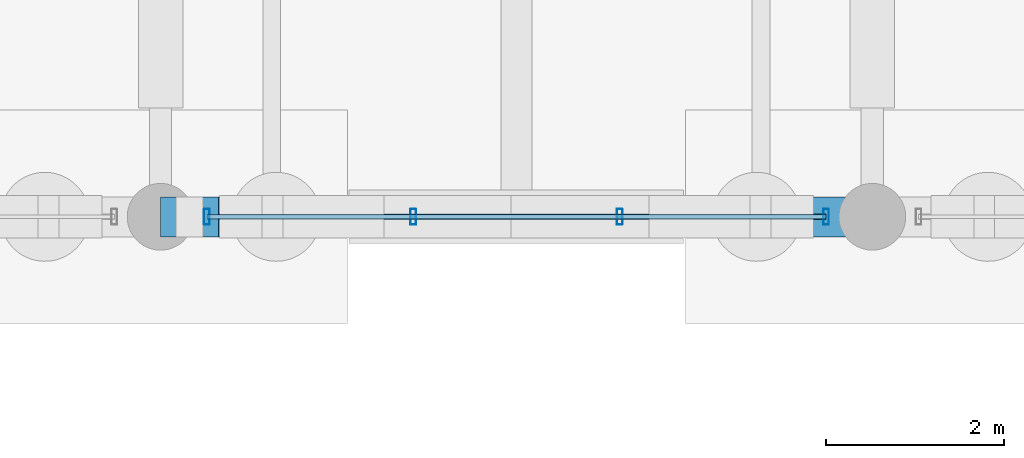
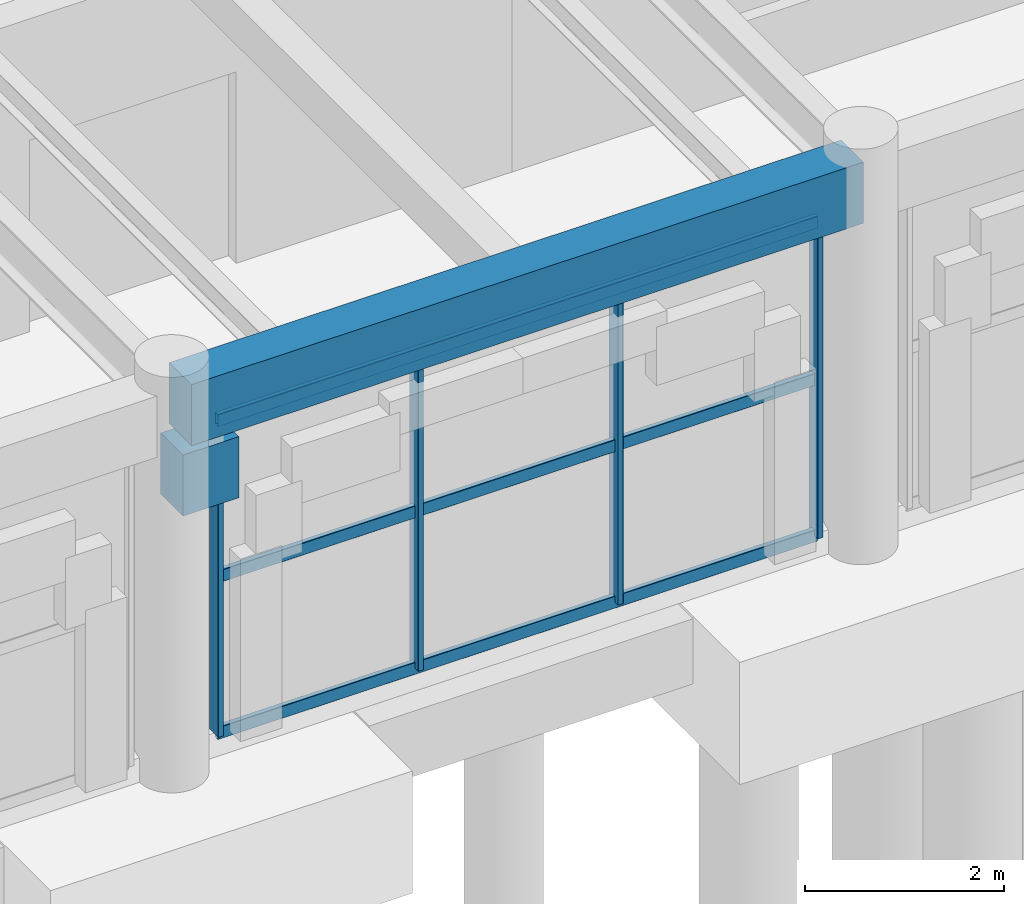
# One storey, part 67 of 147: 7 members, 2 beams, 1 element without a shape of its own.
"""IFC4 building model written with IfcOpenShell, lengths in metres."""

import ifcopenshell
import ifcopenshell.guid

model = None  # the IFC model being written
_history = None  # IfcOwnerHistory: only IFC2X3 demands one
_inside = {}  # id of a spatial element -> (the spatial element, [elements in it])
_under = {}  # id of a project, library or spatial element -> (it, [spatial elements below it])
_declared = {}  # id of a project -> (the project, [libraries it declares])
_typed = {}  # id of a type object -> (the type object, [elements of that type])
_made_of = {}  # id of a material, layer set ... -> (it, [elements and type objects made of it])


def new_model(schema):
    """Start an empty IFC model of exactly this schema.

    Asked for "IFC4X3", IfcOpenShell would pick the latest addendum, in which some entities
    have other attributes; the version numbers below select the first issue.
    IFC2X3 requires an IfcOwnerHistory on every rooted entity: one is made here for all.
    """
    global model, _history
    if schema == "IFC4X3":
        model = ifcopenshell.file(schema_version=(4, 3, 0, 0))
    else:
        model = ifcopenshell.file(schema=schema)
    _inside.clear()
    _under.clear()
    _declared.clear()
    _typed.clear()
    _made_of.clear()
    _history = None
    if model.schema == "IFC2X3":
        org = make("IfcOrganization", Name="unknown")
        user = make(
            "IfcPersonAndOrganization",
            ThePerson=make("IfcPerson", FamilyName="unknown"),
            TheOrganization=org,
        )
        app = make(
            "IfcApplication",
            ApplicationDeveloper=org,
            Version="unknown",
            ApplicationFullName="unknown",
            ApplicationIdentifier="unknown",
        )
        _history = make(
            "IfcOwnerHistory",
            OwningUser=user,
            OwningApplication=app,
            ChangeAction="ADDED",
            CreationDate=0,
        )
    return model


def make(cls, **values):
    """One entity of the class cls with the attributes given. An attribute that is None is left unset."""
    return model.create_entity(
        cls, **{name: value for name, value in values.items() if value is not None}
    )


def rooted(cls, **values):
    """An entity with a GlobalId (a new one), such as an element, a storey or a relation."""
    return make(cls, GlobalId=ifcopenshell.guid.new(), OwnerHistory=_history, **values)


def si_unit(unit_type, name, prefix=None):
    """IfcSIUnit, for example si_unit("LENGTHUNIT", "METRE", prefix="MILLI")."""
    return make("IfcSIUnit", UnitType=unit_type, Prefix=prefix, Name=name)


def assignment(units):
    """IfcUnitAssignment: the units of a project."""
    return None if units is None else make("IfcUnitAssignment", Units=units)


def point(xyz):
    """IfcCartesianPoint."""
    return None if xyz is None else make("IfcCartesianPoint", Coordinates=xyz)


def direction(xyz):
    """IfcDirection."""
    return None if xyz is None else make("IfcDirection", DirectionRatios=xyz)


def frame(location, z_axis=None, x_axis=None):
    """IfcAxis2Placement3D, a coordinate frame: its origin and axes. An axis left out is left unset."""
    return make(
        "IfcAxis2Placement3D",
        Location=point(location),
        Axis=direction(z_axis),
        RefDirection=direction(x_axis),
    )


def frame_2d(location, x_axis=None):
    """IfcAxis2Placement2D, a coordinate frame in the plane: its origin and x axis."""
    return make(
        "IfcAxis2Placement2D", Location=point(location), RefDirection=direction(x_axis)
    )


def origin():
    """The frame at (0, 0, 0) with its axes left unset."""
    return frame((0.0, 0.0, 0.0))


def origin_2d():
    """The frame at (0, 0) in the plane with its x axis left unset."""
    return frame_2d((0.0, 0.0))


def place(relative_to, where):
    """IfcLocalPlacement: puts the frame where relative to a parent placement (None: the world)."""
    return make(
        "IfcLocalPlacement", PlacementRelTo=relative_to, RelativePlacement=where
    )


def context(
    kind, dimensions, precision=None, world=None, true_north=None, identifier=None
):
    """IfcGeometricRepresentationContext, for example the 3D "Model" context."""
    return make(
        "IfcGeometricRepresentationContext",
        ContextIdentifier=identifier,
        ContextType=kind,
        CoordinateSpaceDimension=dimensions,
        Precision=precision,
        WorldCoordinateSystem=world,
        TrueNorth=true_north,
    )


def subcontext(parent, identifier, kind, view, scale=None):
    """IfcGeometricRepresentationSubContext, for example "Body" below "Model"."""
    return make(
        "IfcGeometricRepresentationSubContext",
        ContextIdentifier=identifier,
        ContextType=kind,
        ParentContext=parent,
        TargetScale=scale,
        TargetView=view,
    )


def project(units=None, contexts=None):
    """IfcProject with its units and contexts."""
    return rooted(
        "IfcProject",
        Name="project",
        RepresentationContexts=contexts,
        UnitsInContext=assignment(units),
    )


def spatial(cls, under=None, at=None, **own):
    """A site, building, storey or space (cls), placed at a placement, below another one or the project."""
    s = rooted(cls, ObjectPlacement=at, **own)
    if under is not None:
        _under.setdefault(under.id(), (under, []))[1].append(s)
    return s


def profile(cls, at=None, kind="AREA", **sizes):
    """A parametric profile (cls). Its sizes go by their IFC names, for example OverallWidth=200.0."""
    return make(cls, ProfileType=kind, Position=at, **sizes)


def rectangle(**sizes):
    """IfcRectangleProfileDef."""
    return profile("IfcRectangleProfileDef", **sizes)


def hollow_rectangle(**sizes):
    """IfcRectangleHollowProfileDef."""
    return profile("IfcRectangleHollowProfileDef", **sizes)


def extrude(swept, where, along, depth):
    """IfcExtrudedAreaSolid: the profile swept, set in the frame where, extruded along a direction by depth."""
    return make(
        "IfcExtrudedAreaSolid",
        SweptArea=swept,
        Position=where,
        ExtrudedDirection=direction(along),
        Depth=depth,
    )


def shape(context_of_items, identifier, shape_type, items):
    """IfcShapeRepresentation: the items that make up one representation, for example the "Body"."""
    return make(
        "IfcShapeRepresentation",
        ContextOfItems=context_of_items,
        RepresentationIdentifier=identifier,
        RepresentationType=shape_type,
        Items=items,
    )


def material(Name=None, Category=None):
    """IfcMaterial."""
    return make("IfcMaterial", Name=Name, Category=Category)


def material_profile(
    of_material, cross_section, Name=None, Category=None, Priority=None
):
    """IfcMaterialProfile: a cross section and its material."""
    return make(
        "IfcMaterialProfile",
        Name=Name,
        Material=of_material,
        Profile=cross_section,
        Priority=Priority,
        Category=Category,
    )


def profile_set(profiles, Name=None, composite=None):
    """IfcMaterialProfileSet."""
    return make(
        "IfcMaterialProfileSet",
        Name=Name,
        MaterialProfiles=profiles,
        CompositeProfile=composite,
    )


def made_of(thing, what):
    """Note that an element or type object is made of a material, layer set ...; save() writes the relation."""
    if what is not None:
        _made_of.setdefault(what.id(), (what, []))[1].append(thing)
    return thing


def type_object(cls, material=None, **own):
    """A type object (cls), such as IfcWallType, which elements share."""
    return made_of(rooted(cls, **own), material)


def element(
    cls,
    number,
    at=None,
    inside=None,
    cuts=None,
    type_object=None,
    material=None,
    context=None,
    identifier="Body",
    shape_type=None,
    held_by="IfcProductDefinitionShape",
    body=None,
    shapes=None,
    **own,
):
    """One element of the class cls, such as IfcWall. Its Tag is "e" and its number.

    at: its placement. inside: the storey or other place that contains it. cuts: it is an
    opening in that element (IfcRelVoidsElement). A single representation is given by context,
    identifier, shape_type and body (its items); several are given by shapes. held_by: the class
    of the entity that holds the representations. save() writes the other relations.
    """
    e = rooted(cls, Tag="e%d" % number, ObjectPlacement=at, **own)
    if body is not None:
        shapes = [shape(context, identifier, shape_type, body)]
    if shapes is not None:
        e.Representation = make(held_by, Representations=shapes)
    if inside is not None:
        _inside.setdefault(inside.id(), (inside, []))[1].append(e)
    if cuts is not None:
        rooted(
            "IfcRelVoidsElement", RelatingBuildingElement=cuts, RelatedOpeningElement=e
        )
    if type_object is not None:
        _typed.setdefault(type_object.id(), (type_object, []))[1].append(e)
    return made_of(e, material)


def aggregate(whole, parts):
    """IfcRelAggregates: a whole, such as a stair, and the parts it consists of."""
    return rooted("IfcRelAggregates", RelatingObject=whole, RelatedObjects=parts)


def save(model, path):
    """Write the relations noted so far, then the file.

    IfcRelAggregates (storeys below a building ...), IfcRelContainedInSpatialStructure (elements
    in a storey), IfcRelDefinesByType, IfcRelAssociatesMaterial and IfcRelDeclares: one each for
    every whole, place, type object, material and project.
    """
    for whole, parts in _under.values():
        aggregate(whole, parts)
    for where, things in _inside.values():
        rooted(
            "IfcRelContainedInSpatialStructure",
            RelatedElements=things,
            RelatingStructure=where,
        )
    for kind, things in _typed.values():
        rooted("IfcRelDefinesByType", RelatedObjects=things, RelatingType=kind)
    for what, things in _made_of.values():
        rooted("IfcRelAssociatesMaterial", RelatedObjects=things, RelatingMaterial=what)
    for by, libraries in _declared.values():
        rooted("IfcRelDeclares", RelatingContext=by, RelatedDefinitions=libraries)
    model.write(path)


model = new_model("IFC4")

# Units and contexts
model_context = context("Model", 3, precision=1e-05, world=origin(), true_north=direction((0.0, 1.0)))
body_context = subcontext(model_context, "Body", "Model", "MODEL_VIEW")
ifc_project = project(units=[si_unit("LENGTHUNIT", "METRE"), si_unit("AREAUNIT", "SQUARE_METRE"), si_unit("VOLUMEUNIT", "CUBIC_METRE"), si_unit("PLANEANGLEUNIT", "RADIAN"), si_unit("MASSUNIT", "GRAM", prefix="KILO")], contexts=[model_context])

# Site, building, storey
site_placement = place(None, origin())
site = spatial("IfcSite", under=ifc_project, at=site_placement, CompositionType="ELEMENT")
building_placement = place(site_placement, origin())
building = spatial("IfcBuilding", under=site, at=building_placement, Name="Varnabhumi Central Station", CompositionType="ELEMENT")
storey_placement = place(building_placement, origin())
storey = spatial("IfcBuildingStorey", under=building, at=storey_placement, Name="L00", CompositionType="ELEMENT", Elevation=0.0)

# Beams
ifc_material_1 = material(Name="Concrete M40", Category="concrete")
ifc_material_profile_1 = material_profile(ifc_material_1, rectangle(XDim=0.449951171875, YDim=0.75, at=origin_2d()), Name="Concrete M40", Category="concrete")
ifc_profile_set_1 = profile_set([ifc_material_profile_1], Name="Concrete M40")
beam_type = type_object("IfcBeamType", Name="BM-RC-450x750", PredefinedType="BEAM", material=ifc_profile_set_1)
beam_1_placement = place(storey_placement, frame((64.10009765625, 107.0, 4.175048828125), z_axis=(1.0, 0.0, 0.0), x_axis=(0.0, 1.0, 0.0)))
element("IfcBeam", 1, at=beam_1_placement, inside=storey, type_object=beam_type, Name="Beam L00-N:9-10", PredefinedType="BEAM", context=body_context, shape_type="SweptSolid", body=[
    extrude(rectangle(XDim=0.449951171875, YDim=0.75, at=origin_2d()), origin(), (0.0, 0.0, 1.0), 7.7998046875),
])
beam_2_placement = place(storey_placement, frame((64.0, 107.0, 3.344970703125), z_axis=(1.0, 0.0, 0.0), x_axis=(0.0, 1.0, 0.0)))
element("IfcBeam", 2, at=beam_2_placement, inside=storey, type_object=beam_type, Name="Movement Joint 650mm Corbel Seat L00-N-9", PredefinedType="BEAM", context=body_context, shape_type="SweptSolid", body=[
    extrude(rectangle(XDim=0.449951171875, YDim=0.75, at=origin_2d()), origin(), (0.0, 0.0, 1.0), 0.64990234375),
])

# Curtain wall, members
ifc_material_2 = material(Name="Anodised aluminium 6063-T6", Category="aluminium")
curtain_wall_type = type_object("IfcCurtainWallType", Name="CW-PATIO-LOGGIA-L0", PredefinedType="NOTDEFINED", material=ifc_material_2)
curtain_wall_placement = place(storey_placement, origin())
curtain_wall = element("IfcCurtainWall", 3, at=curtain_wall_placement, inside=storey, type_object=curtain_wall_type, Name="Curtain Wall CW-NP0N3", PredefinedType="NOTDEFINED")
ifc_material_profile_2 = material_profile(ifc_material_2, hollow_rectangle(XDim=0.06494140625, YDim=0.179931640625, WallThickness=0.00390625, InnerFilletRadius=0.001953125, OuterFilletRadius=0.006103515625, at=origin_2d()), Name="Anodised aluminium 6063-T6", Category="aluminium")
ifc_profile_set_2 = profile_set([ifc_material_profile_2], Name="Anodised aluminium 6063-T6")
member_type_1 = type_object("IfcMemberType", Name="CW-MUL-180", PredefinedType="MULLION", material=ifc_profile_set_2)
member_1_placement = place(storey_placement, frame((64.52001953125, 107.0, 0.0), z_axis=(0.0, 0.0, 1.0), x_axis=(1.0, 0.0, 0.0)))
member_1 = element("IfcMember", 4, at=member_1_placement, type_object=member_type_1, Name="Curtain Wall Mullion CW-NP0N3-M1", PredefinedType="MULLION", context=body_context, shape_type="SweptSolid", body=[
    extrude(hollow_rectangle(XDim=0.06494140625, YDim=0.179931640625, WallThickness=0.00390625, InnerFilletRadius=0.001953125, OuterFilletRadius=0.006103515625, at=origin_2d()), origin(), (0.0, 0.0, 1.0), 3.840087890625),
])
member_2_placement = place(storey_placement, frame((66.840087890625, 107.0, 0.0), z_axis=(0.0, 0.0, 1.0), x_axis=(1.0, 0.0, 0.0)))
member_2 = element("IfcMember", 5, at=member_2_placement, type_object=member_type_1, Name="Curtain Wall Mullion CW-NP0N3-M2", PredefinedType="MULLION", context=body_context, shape_type="SweptSolid", body=[
    extrude(hollow_rectangle(XDim=0.06494140625, YDim=0.179931640625, WallThickness=0.00390625, InnerFilletRadius=0.001953125, OuterFilletRadius=0.006103515625, at=origin_2d()), origin(), (0.0, 0.0, 1.0), 3.840087890625),
])
member_3_placement = place(storey_placement, frame((69.159912109375, 107.0, 0.0), z_axis=(0.0, 0.0, 1.0), x_axis=(1.0, 0.0, 0.0)))
member_3 = element("IfcMember", 6, at=member_3_placement, type_object=member_type_1, Name="Curtain Wall Mullion CW-NP0N3-M3", PredefinedType="MULLION", context=body_context, shape_type="SweptSolid", body=[
    extrude(hollow_rectangle(XDim=0.06494140625, YDim=0.179931640625, WallThickness=0.00390625, InnerFilletRadius=0.001953125, OuterFilletRadius=0.006103515625, at=origin_2d()), origin(), (0.0, 0.0, 1.0), 3.840087890625),
])
member_4_placement = place(storey_placement, frame((71.47998046875, 107.0, 0.0), z_axis=(0.0, 0.0, 1.0), x_axis=(1.0, 0.0, 0.0)))
member_4 = element("IfcMember", 7, at=member_4_placement, type_object=member_type_1, Name="Curtain Wall Mullion CW-NP0N3-M4", PredefinedType="MULLION", context=body_context, shape_type="SweptSolid", body=[
    extrude(hollow_rectangle(XDim=0.06494140625, YDim=0.179931640625, WallThickness=0.00390625, InnerFilletRadius=0.001953125, OuterFilletRadius=0.006103515625, at=origin_2d()), origin(), (0.0, 0.0, 1.0), 3.840087890625),
])
ifc_material_profile_3 = material_profile(ifc_material_2, hollow_rectangle(XDim=0.06005859375, YDim=0.14990234375, WallThickness=0.00390625, InnerFilletRadius=0.001953125, OuterFilletRadius=0.006103515625, at=origin_2d()), Name="Anodised aluminium 6063-T6", Category="aluminium")
ifc_profile_set_3 = profile_set([ifc_material_profile_3], Name="Anodised aluminium 6063-T6")
member_type_2 = type_object("IfcMemberType", Name="CW-TR-150", PredefinedType="USERDEFINED", material=ifc_profile_set_3)
member_5_placement = place(storey_placement, frame((64.52001953125, 107.0, 0.0), z_axis=(1.0, 0.0, 0.0), x_axis=(0.0, 1.0, 0.0)))
member_5 = element("IfcMember", 8, at=member_5_placement, type_object=member_type_2, Name="Curtain Wall Transom CW-NP0N3-T1", ObjectType="TRANSOM", PredefinedType="USERDEFINED", context=body_context, shape_type="SweptSolid", body=[
    extrude(hollow_rectangle(XDim=0.06005859375, YDim=0.14990234375, WallThickness=0.00390625, InnerFilletRadius=0.001953125, OuterFilletRadius=0.006103515625, at=origin_2d()), origin(), (0.0, 0.0, 1.0), 6.9599609375),
])
member_6_placement = place(storey_placement, frame((64.52001953125, 107.0, 1.919921875), z_axis=(1.0, 0.0, 0.0), x_axis=(0.0, 1.0, 0.0)))
member_6 = element("IfcMember", 9, at=member_6_placement, type_object=member_type_2, Name="Curtain Wall Transom CW-NP0N3-T2", ObjectType="TRANSOM", PredefinedType="USERDEFINED", context=body_context, shape_type="SweptSolid", body=[
    extrude(hollow_rectangle(XDim=0.06005859375, YDim=0.14990234375, WallThickness=0.00390625, InnerFilletRadius=0.001953125, OuterFilletRadius=0.006103515625, at=origin_2d()), origin(), (0.0, 0.0, 1.0), 6.9599609375),
])
member_7_placement = place(storey_placement, frame((64.52001953125, 107.0, 3.840087890625), z_axis=(1.0, 0.0, 0.0), x_axis=(0.0, 1.0, 0.0)))
member_7 = element("IfcMember", 10, at=member_7_placement, type_object=member_type_2, Name="Curtain Wall Transom CW-NP0N3-T3", ObjectType="TRANSOM", PredefinedType="USERDEFINED", context=body_context, shape_type="SweptSolid", body=[
    extrude(hollow_rectangle(XDim=0.06005859375, YDim=0.14990234375, WallThickness=0.00390625, InnerFilletRadius=0.001953125, OuterFilletRadius=0.006103515625, at=origin_2d()), origin(), (0.0, 0.0, 1.0), 6.9599609375),
])
aggregate(curtain_wall, [member_1, member_2, member_3, member_4, member_5, member_6, member_7])

save(model, "model.ifc")
